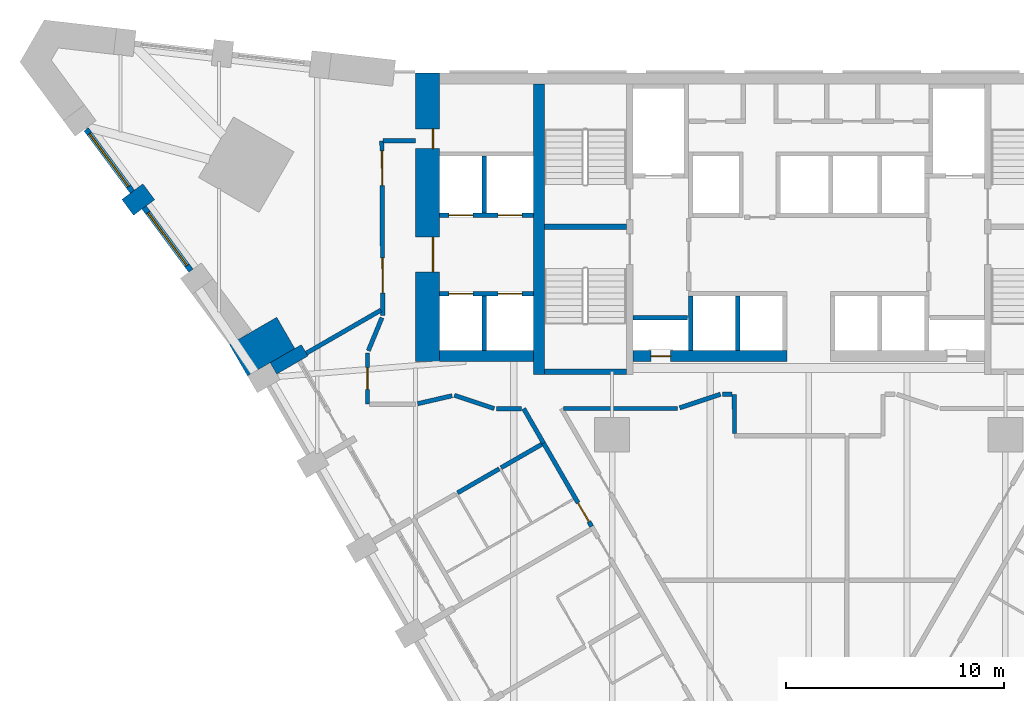
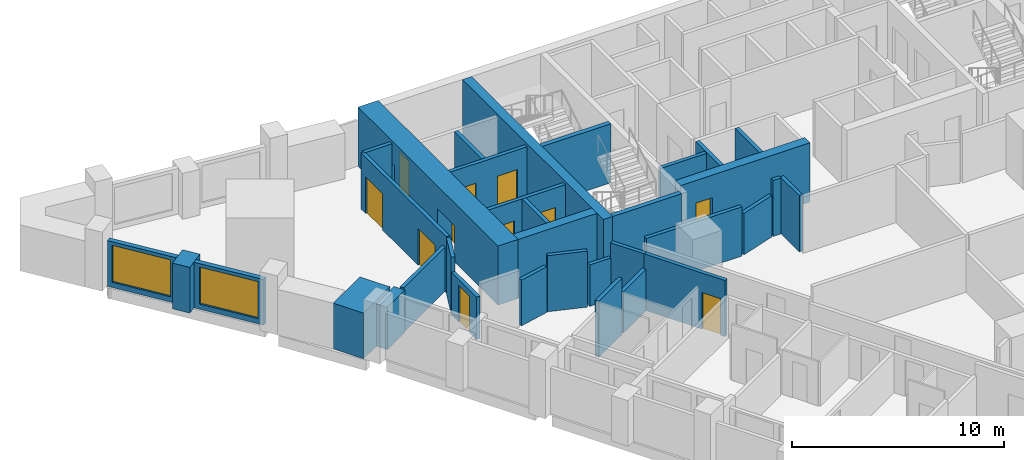
# One storey, part 6 of 11: 34 walls, 11 doors, 2 windows, 13 openings.
"""IFC4 building model written with IfcOpenShell, lengths in metres."""

from ifc_helpers import new_model, si_unit, direction, frame, frame_2d, origin, place, context, subcontext, project, spatial, polyline, rectangle, outline, extrude, material, layer, layer_set, type_object, element, fill, save


model = new_model("IFC4")

# Units and contexts
model_context = context("Model", 3, precision=1e-05, world=origin(), true_north=direction((0.0, 1.0)))
body_context = subcontext(model_context, "Body", "Model", "MODEL_VIEW")
ifc_project = project(units=[si_unit("LENGTHUNIT", "METRE"), si_unit("AREAUNIT", "SQUARE_METRE"), si_unit("VOLUMEUNIT", "CUBIC_METRE"), si_unit("PLANEANGLEUNIT", "RADIAN"), si_unit("MASSUNIT", "GRAM", prefix="KILO")], contexts=[model_context])

# Site, building, storey
site_placement = place(None, origin())
site = spatial("IfcSite", under=ifc_project, at=site_placement, CompositionType="ELEMENT")
building_placement = place(site_placement, origin())
building = spatial("IfcBuilding", under=site, at=building_placement, Name="Calabash Gate Tower", CompositionType="ELEMENT")
storey_placement = place(building_placement, frame((0.0, 0.0, 49.39990234375)))
storey = spatial("IfcBuildingStorey", under=building, at=storey_placement, Name="L07", CompositionType="ELEMENT", Elevation=49.39990234375)

# Walls
ifc_material_1 = material(Name="Terracotta brick masonry, exposed face", Category="masonry")
ifc_layer_1 = layer(ifc_material_1, 2.5)
ifc_layer_set_1 = layer_set([ifc_layer_1], Name="Brick corner mass wall 2500")
wall_type_1 = type_object("IfcWallType", Name="Brick corner mass wall 2500", PredefinedType="SOLIDWALL", material=ifc_layer_set_1)
wall_1_placement = place(storey_placement, origin())
element("IfcWall", 1, at=wall_1_placement, inside=storey, type_object=wall_type_1, Name="Brick corner pier S01 1", PredefinedType="SOLIDWALL", context=body_context, shape_type="SweptSolid", body=[
    extrude(outline(polyline([(-25.694580078125, 5.19970703125), (-24.6552734375, 5.7998046875), (-24.6552734375, 5.79931640625), (-23.529541015625, 6.44921875), (-24.3544921875, 7.878173828125), (-26.51953125, 6.628173828125), (-25.694580078125, 5.19921875), (-25.6943359375, 5.199462890625), (-25.694580078125, 5.19970703125)])), origin(), (0.0, 0.0, 1.0), 2.630126953125),
])
ifc_material_2 = material(Name="Terracotta brick masonry, exposed face", Category="masonry")
ifc_layer_2 = layer(ifc_material_2, 1.199951171875)
ifc_layer_set_2 = layer_set([ifc_layer_2], Name="Brick end wall 1200")
wall_type_2 = type_object("IfcWallType", Name="Brick end wall 1200", PredefinedType="SOLIDWALL", material=ifc_layer_set_2)
wall_2_placement = place(storey_placement, frame((-31.178466796875, 12.91015625, 0.0), z_axis=(0.0, 0.0, 1.0), x_axis=(0.803549985832, 0.595237280644, 0.0)))
element("IfcWall", 2, at=wall_2_placement, inside=storey, type_object=wall_type_2, Name="Brick pier S01 wedge7.1", PredefinedType="SOLIDWALL", context=body_context, shape_type="SweptSolid", body=[
    extrude(rectangle(XDim=1.2001953125, YDim=0.89990234375, at=frame_2d((0.60009765625, 0.0))), origin(), (0.0, 0.0, 1.0), 2.630126953125),
])
ifc_material_3 = material(Name="Terracotta brick masonry, exposed face", Category="masonry")
ifc_layer_3 = layer(ifc_material_3, 0.300048828125)
ifc_layer_set_3 = layer_set([ifc_layer_3], Name="Brick loggia cheek wall 300")
wall_type_3 = type_object("IfcWallType", Name="Brick loggia cheek wall 300", PredefinedType="SOLIDWALL", material=ifc_layer_set_3)
wall_3_placement = place(storey_placement, frame((-24.505126953125, 5.53955078125, 0.0), z_axis=(0.0, 0.0, 1.0), x_axis=(0.866003217194, 0.500038426333, 0.0)))
element("IfcWall", 3, at=wall_3_placement, inside=storey, type_object=wall_type_3, Name="Loggia cheek S01 SW0.0", PredefinedType="SOLIDWALL", context=body_context, shape_type="SweptSolid", body=[
    extrude(rectangle(XDim=1.649658203125, YDim=0.60009765625, at=frame_2d((0.82470703125, 0.0))), origin(), (0.0, 0.0, 1.0), 2.4501953125),
])

# Wall, openings, doors
ifc_material_4 = material(Name="Concrete C80/95", Category="concrete")
ifc_layer_4 = layer(ifc_material_4, 1.10009765625)
ifc_layer_set_4 = layer_set([ifc_layer_4], Name="Core wall 1100 Concrete C80/95")
wall_type_4 = type_object("IfcWallType", Name="Core wall 1100 Concrete C80/95", PredefinedType="SHEAR", material=ifc_layer_set_4)
wall_4_placement = place(storey_placement, frame((-17.449951171875, 5.8525390625, 0.0), z_axis=(0.0, 0.0, 1.0), x_axis=(0.0, 1.0, 0.0)))
wall_4 = element("IfcWall", 4, at=wall_4_placement, inside=storey, type_object=wall_type_4, Name="Core wall Z1-ENDW L07", PredefinedType="SHEAR", context=body_context, shape_type="SweptSolid", body=[
    extrude(rectangle(XDim=13.199951171875, YDim=1.10009765625, at=frame_2d((6.60009765625, 0.0))), origin(), (0.0, 0.0, 1.0), 3.400146484375),
])
opening_1_placement = place(wall_4_placement, frame((4.10009765625, 0.0, 0.0)))
opening_1 = element("IfcOpeningElement", 5, at=opening_1_placement, cuts=wall_4, Name="Opening H1-003", PredefinedType="OPENING", context=body_context, shape_type="SweptSolid", body=[
    extrude(rectangle(XDim=1.60009765625, YDim=2.10009765625, at=frame_2d((0.800048828125, 1.050048828125))), frame((0.0, 0.56005859375, 0.0), z_axis=(0.0, -1.0, 0.0), x_axis=(1.0, 0.0, 0.0)), (0.0, 0.0, 1.0), 1.1201171875),
])
opening_2_placement = place(wall_4_placement, frame((9.75, 0.0, 0.0)))
opening_2 = element("IfcOpeningElement", 6, at=opening_2_placement, cuts=wall_4, Name="Opening H1-004", PredefinedType="OPENING", context=body_context, shape_type="SweptSolid", body=[
    extrude(rectangle(XDim=0.89990234375, YDim=2.10009765625, at=frame_2d((0.449951171875, 1.050048828125))), frame((0.0, 0.56005859375, 0.0), z_axis=(0.0, -1.0, 0.0), x_axis=(1.0, 0.0, 0.0)), (0.0, 0.0, 1.0), 1.1201171875),
])
ifc_material_5 = material(Name="Steel fire door set with fire-resisting glazing", Category="steel")
door_type_1 = type_object("IfcDoorType", Name="Double fire door D08 1600x2100 FD60", OperationType="DOUBLE_DOOR_SINGLE_SWING", PredefinedType="DOOR", material=ifc_material_5)
door_1_placement = place(opening_1_placement, origin())
door_1 = element("IfcDoor", 7, at=door_1_placement, inside=storey, type_object=door_type_1, Name="Low-rise Lift Lobby W door", OperationType="DOUBLE_DOOR_SINGLE_SWING", OverallHeight=2.10009765625, OverallWidth=1.60009765625, PredefinedType="DOOR", context=body_context, shape_type="SweptSolid", body=[
    extrude(rectangle(XDim=1.60009765625, YDim=2.10009765625, at=frame_2d((0.800048828125, 1.050048828125))), frame((0.0, -0.22509765625, 0.0), z_axis=(0.0, -1.0, 0.0), x_axis=(1.0, 0.0, 0.0)), (0.0, 0.0, 1.0), 0.050048828125),
])
fill(opening_1, door_1)
ifc_material_6 = material(Name="Steel fire door set with fire-resisting glazing", Category="steel")
door_type_2 = type_object("IfcDoorType", Name="Fire door D06 900x2100 FD60", OperationType="NOTDEFINED", PredefinedType="DOOR", material=ifc_material_6)
door_2_placement = place(opening_2_placement, origin())
door_2 = element("IfcDoor", 8, at=door_2_placement, inside=storey, type_object=door_type_2, Name="Cleaner's Store door", OperationType="SINGLE_SWING_RIGHT", OverallHeight=2.10009765625, OverallWidth=0.89990234375, PredefinedType="DOOR", context=body_context, shape_type="SweptSolid", body=[
    extrude(rectangle(XDim=0.89990234375, YDim=2.10009765625, at=frame_2d((0.449951171875, 1.050048828125))), frame((0.0, -0.22509765625, 0.0), z_axis=(0.0, -1.0, 0.0), x_axis=(1.0, 0.0, 0.0)), (0.0, 0.0, 1.0), 0.050048828125),
])
fill(opening_2, door_2)

# Walls
ifc_material_7 = material(Name="Concrete C80/95", Category="concrete")
ifc_layer_5 = layer(ifc_material_7, 0.25)
ifc_layer_set_5 = layer_set([ifc_layer_5], Name="Core wall 250 Concrete C80/95")
wall_type_5 = type_object("IfcWallType", Name="Core wall 250 Concrete C80/95", PredefinedType="SHEAR", material=ifc_layer_set_5)
for number, where, z_axis, x_axis, name in (
    (9, (-12.10009765625, 12.027587890625, 0.0), (0.0, 0.0, 1.0), (1.0, 0.0, 0.0), "Core wall Z1-MIDW L07"),
    (10, (-12.10009765625, 5.377685546875, 0.0), (0.0, 0.0, 1.0), (1.0, 0.0, 0.0), "Core wall Z1-SSW L07"),
):
    element("IfcWall", number, at=place(storey_placement, frame(where, z_axis=z_axis, x_axis=x_axis)), inside=storey, type_object=wall_type_5, Name=name, PredefinedType="SHEAR", context=body_context, shape_type="SweptSolid", body=[
        extrude(rectangle(XDim=3.75, YDim=0.25, at=frame_2d((1.875, 0.0))), origin(), (0.0, 0.0, 1.0), 3.400146484375),
    ])
ifc_material_8 = material(Name="Concrete C80/95", Category="concrete")
ifc_layer_6 = layer(ifc_material_8, 0.5)
ifc_layer_set_6 = layer_set([ifc_layer_6], Name="Core wall 500 Concrete C80/95")
wall_type_6 = type_object("IfcWallType", Name="Core wall 500 Concrete C80/95", PredefinedType="SHEAR", material=ifc_layer_set_6)
wall_5_placement = place(storey_placement, frame((-12.35009765625, 5.252685546875, 0.0), z_axis=(0.0, 0.0, 1.0), x_axis=(0.0, 1.0, 0.0)))
element("IfcWall", 11, at=wall_5_placement, inside=storey, type_object=wall_type_6, Name="Core wall Z1-COLW L07", PredefinedType="SHEAR", context=body_context, shape_type="SweptSolid", body=[
    extrude(rectangle(XDim=13.2998046875, YDim=0.5, at=frame_2d((6.64990234375, 0.0))), origin(), (0.0, 0.0, 1.0), 3.400146484375),
])

# Wall, opening, door
wall_6_placement = place(storey_placement, frame((-8.050048828125, 6.1025390625, 0.0), z_axis=(0.0, 0.0, 1.0), x_axis=(1.0, 0.0, 0.0)))
wall_6 = element("IfcWall", 12, at=wall_6_placement, inside=storey, type_object=wall_type_6, Name="Core wall Z1-SA L07", PredefinedType="SHEAR", context=body_context, shape_type="SweptSolid", body=[
    extrude(rectangle(XDim=7.050048828125, YDim=0.5, at=frame_2d((3.52490234375, 0.0))), origin(), (0.0, 0.0, 1.0), 3.400146484375),
])
opening_3_placement = place(wall_6_placement, frame((0.824951171875, 0.0, 0.0)))
opening_3 = element("IfcOpeningElement", 13, at=opening_3_placement, cuts=wall_6, Name="Opening H1-013", PredefinedType="OPENING", context=body_context, shape_type="SweptSolid", body=[
    extrude(rectangle(XDim=0.89990234375, YDim=2.10009765625, at=frame_2d((0.449951171875, 1.050048828125))), frame((0.0, 0.260009765625, 0.0), z_axis=(0.0, -1.0, 0.0), x_axis=(1.0, 0.0, 0.0)), (0.0, 0.0, 1.0), 0.52001953125),
])
ifc_material_9 = material(Name="Steel fire door set with fire-resisting glazing", Category="steel")
door_type_3 = type_object("IfcDoorType", Name="Fire door D07 900x2100 FD90", OperationType="NOTDEFINED", PredefinedType="DOOR", material=ifc_material_9)
door_3_placement = place(opening_3_placement, origin())
door_3 = element("IfcDoor", 14, at=door_3_placement, inside=storey, type_object=door_type_3, Name="Electrical Riser W door", OperationType="SINGLE_SWING_LEFT", OverallHeight=2.10009765625, OverallWidth=0.89990234375, PredefinedType="DOOR", context=body_context, shape_type="SweptSolid", body=[
    extrude(rectangle(XDim=0.89990234375, YDim=2.10009765625, at=frame_2d((0.449951171875, 1.050048828125))), frame((0.0, 0.02490234375, 0.0), z_axis=(0.0, -1.0, 0.0), x_axis=(1.0, 0.0, 0.0)), (0.0, 0.0, 1.0), 0.050048828125),
])
fill(opening_3, door_3)

# Wall
wall_7_placement = place(storey_placement, frame((-12.60009765625, 6.1025390625, 0.0), z_axis=(0.0, 0.0, 1.0), x_axis=(-1.0, 0.0, 0.0)))
element("IfcWall", 15, at=wall_7_placement, inside=storey, type_object=wall_type_6, Name="Core wall Z1-SW L07", PredefinedType="SHEAR", context=body_context, shape_type="SweptSolid", body=[
    extrude(rectangle(XDim=4.2998046875, YDim=0.5, at=frame_2d((2.14990234375, 0.0))), origin(), (0.0, 0.0, 1.0), 3.400146484375),
])

# Wall, opening, door
ifc_material_10 = material(Name="Gypsum board on steel studs, mineral wool", Category="steel")
ifc_layer_7 = layer(ifc_material_10, 0.199951171875)
ifc_layer_set_7 = layer_set([ifc_layer_7], Name="Partition 200 gypsum board EI 60")
wall_type_7 = type_object("IfcWallType", Name="Partition 200 gypsum board EI 60", PredefinedType="PARTITIONING", material=ifc_layer_set_7)
wall_8_placement = place(storey_placement, frame((-12.13720703125, 2.113037109375, 0.0), z_axis=(0.0, 0.0, 1.0), x_axis=(0.500025132165, -0.866010893236, 0.0)))
wall_8 = element("IfcWall", 16, at=wall_8_placement, inside=storey, type_object=wall_type_7, Name="Partition", PredefinedType="PARTITIONING", context=body_context, shape_type="SweptSolid", body=[
    extrude(rectangle(XDim=4.398681640625, YDim=0.199951171875, at=frame_2d((2.19921875, 0.0))), origin(), (0.0, 0.0, 1.0), 3.22998046875),
])
opening_4_placement = place(wall_8_placement, frame((3.150390625, 0.0, 0.0)))
opening_4 = element("IfcOpeningElement", 17, at=opening_4_placement, cuts=wall_8, Name="Opening 06-08-020", PredefinedType="OPENING", context=body_context, shape_type="SweptSolid", body=[
    extrude(rectangle(XDim=1.0, YDim=2.10009765625, at=frame_2d((0.5, 1.050048828125))), frame((0.0, 0.10986328125, 0.0), z_axis=(0.0, -1.0, 0.0), x_axis=(1.0, 0.0, 0.0)), (0.0, 0.0, 1.0), 0.219970703125),
])
ifc_material_11 = material(Name="Steel fire door set with fire-resisting glazing", Category="steel")
door_type_4 = type_object("IfcDoorType", Name="WD3 WC lobby door 1000x2100", OperationType="NOTDEFINED", PredefinedType="DOOR", material=ifc_material_11)
door_4_placement = place(opening_4_placement, origin())
door_4 = element("IfcDoor", 18, at=door_4_placement, inside=storey, type_object=door_type_4, Name="WC lobby door", OperationType="SINGLE_SWING_LEFT", OverallHeight=2.10009765625, OverallWidth=1.0, PredefinedType="DOOR", context=body_context, shape_type="SweptSolid", body=[
    extrude(rectangle(XDim=1.0, YDim=2.10009765625, at=frame_2d((0.5, 1.050048828125))), frame((0.0, 0.02490234375, 0.0), z_axis=(0.0, -1.0, 0.0), x_axis=(1.0, 0.0, 0.0)), (0.0, 0.0, 1.0), 0.050048828125),
])
fill(opening_4, door_4)

# Walls
wall_9_placement = place(storey_placement, frame((-16.07666015625, -0.159423828125, 0.0), z_axis=(0.0, 0.0, 1.0), x_axis=(0.866399851823, 0.499350875398, 0.0)))
element("IfcWall", 19, at=wall_9_placement, inside=storey, type_object=wall_type_7, Name="Partition", PredefinedType="PARTITIONING", context=body_context, shape_type="SweptSolid", body=[
    extrude(rectangle(XDim=2.19970703125, YDim=0.199951171875, at=frame_2d((1.099853515625, 0.0))), origin(), (0.0, 0.0, 1.0), 3.22998046875),
])
wall_10_placement = place(storey_placement, frame((-14.084716796875, 0.990478515625, 0.0), z_axis=(0.0, 0.0, 1.0), x_axis=(0.866397457795, 0.499355029139, 0.0)))
element("IfcWall", 20, at=wall_10_placement, inside=storey, type_object=wall_type_7, Name="Partition", PredefinedType="PARTITIONING", context=body_context, shape_type="SweptSolid", body=[
    extrude(rectangle(XDim=2.147705078125, YDim=0.199951171875, at=frame_2d((1.07373046875, 0.0))), origin(), (0.0, 0.0, 1.0), 2.38427734375),
])
wall_11_placement = place(storey_placement, frame((-3.402099609375, 4.3505859375, 0.0), z_axis=(0.0, 0.0, 1.0), x_axis=(0.001086217961, -0.999999410065, 0.0)))
element("IfcWall", 21, at=wall_11_placement, inside=storey, type_object=wall_type_7, Name="Partition", PredefinedType="PARTITIONING", context=body_context, shape_type="SweptSolid", body=[
    extrude(rectangle(XDim=1.798095703125, YDim=0.199951171875, at=frame_2d((0.89892578125, 0.0))), origin(), (0.0, 0.0, 1.0), 3.22998046875),
])
wall_12_placement = place(storey_placement, frame((-14.300048828125, 3.699462890625, 0.0), z_axis=(0.0, 0.0, 1.0), x_axis=(1.0, 0.0, 0.0)))
element("IfcWall", 22, at=wall_12_placement, inside=storey, type_object=wall_type_7, Name="Partition", PredefinedType="PARTITIONING", context=body_context, shape_type="SweptSolid", body=[
    extrude(rectangle(XDim=1.148681640625, YDim=0.199951171875, at=frame_2d((0.57421875, 0.0))), origin(), (0.0, 0.0, 1.0), 2.38427734375),
])
wall_13_placement = place(storey_placement, frame((-13.051513671875, 3.699462890625, 0.0), z_axis=(0.0, 0.0, 1.0), x_axis=(0.499341081767, -0.866405496324, 0.0)))
element("IfcWall", 23, at=wall_13_placement, inside=storey, type_object=wall_type_7, Name="Partition", PredefinedType="PARTITIONING", context=body_context, shape_type="SweptSolid", body=[
    extrude(rectangle(XDim=1.8291015625, YDim=0.199951171875, at=frame_2d((0.91455078125, 0.0))), origin(), (0.0, 0.0, 1.0), 3.22998046875),
])
wall_14_placement = place(storey_placement, frame((-11.21875, 3.69970703125, 0.0), z_axis=(0.0, 0.0, 1.0), x_axis=(1.0, 0.0, 0.0)))
element("IfcWall", 24, at=wall_14_placement, inside=storey, type_object=wall_type_7, Name="Partition", PredefinedType="PARTITIONING", context=body_context, shape_type="SweptSolid", body=[
    extrude(rectangle(XDim=5.21875, YDim=0.199951171875, at=frame_2d((2.609375, 0.0))), origin(), (0.0, 0.0, 1.0), 2.831787109375),
])
wall_15_placement = place(storey_placement, frame((-17.902587890625, 3.922119140625, 0.0), z_axis=(0.0, 0.0, 1.0), x_axis=(0.974302124523, 0.225245133464, 0.0)))
element("IfcWall", 25, at=wall_15_placement, inside=storey, type_object=wall_type_7, Name="Partition", PredefinedType="PARTITIONING", context=body_context, shape_type="SweptSolid", body=[
    extrude(rectangle(XDim=1.6181640625, YDim=0.199951171875, at=frame_2d((0.80908203125, 0.0))), origin(), (0.0, 0.0, 1.0), 2.628173828125),
])
wall_16_placement = place(storey_placement, frame((-16.228515625, 4.30908203125, 0.0), z_axis=(0.0, 0.0, 1.0), x_axis=(0.948657960303, -0.316303769112, 0.0)))
element("IfcWall", 26, at=wall_16_placement, inside=storey, type_object=wall_type_7, Name="Partition", PredefinedType="PARTITIONING", context=body_context, shape_type="SweptSolid", body=[
    extrude(rectangle(XDim=1.92724609375, YDim=0.199951171875, at=frame_2d((0.963623046875, 0.0))), origin(), (0.0, 0.0, 1.0), 3.22998046875),
])
wall_17_placement = place(storey_placement, frame((-5.905029296875, 3.7314453125, 0.0), z_axis=(0.0, 0.0, 1.0), x_axis=(0.948695731075, 0.316190464499, 0.0)))
element("IfcWall", 27, at=wall_17_placement, inside=storey, type_object=wall_type_7, Name="Partition", PredefinedType="PARTITIONING", context=body_context, shape_type="SweptSolid", body=[
    extrude(rectangle(XDim=1.963623046875, YDim=0.199951171875, at=frame_2d((0.98193359375, 0.0))), origin(), (0.0, 0.0, 1.0), 2.38427734375),
])
wall_18_placement = place(storey_placement, frame((-3.9423828125, 4.35205078125, 0.0), z_axis=(0.0, 0.0, 1.0), x_axis=(0.999996159087, -0.00277160798, 0.0)))
element("IfcWall", 28, at=wall_18_placement, inside=storey, type_object=wall_type_7, Name="Partition", PredefinedType="PARTITIONING", context=body_context, shape_type="SweptSolid", body=[
    extrude(rectangle(XDim=0.4404296875, YDim=0.199951171875, at=frame_2d((0.22021484375, 0.0))), origin(), (0.0, 0.0, 1.0), 3.22998046875),
])
wall_19_placement = place(storey_placement, frame((-23.001220703125, 6.234375, 0.0), z_axis=(0.0, 0.0, 1.0), x_axis=(0.866230957978, 0.499643800562, 0.0)))
element("IfcWall", 29, at=wall_19_placement, inside=storey, type_object=wall_type_7, Name="Partition", PredefinedType="PARTITIONING", context=body_context, shape_type="SweptSolid", body=[
    extrude(rectangle(XDim=3.94140625, YDim=0.199951171875, at=frame_2d((1.970703125, 0.0))), origin(), (0.0, 0.0, 1.0), 2.552001953125),
])

# Wall, opening, door
wall_20_placement = place(storey_placement, frame((-20.200439453125, 6.252685546875, 0.0), z_axis=(0.0, 0.0, 1.0), x_axis=(0.000103755965, -0.999999994617, 0.0)))
wall_20 = element("IfcWall", 30, at=wall_20_placement, inside=storey, type_object=wall_type_7, Name="Partition", PredefinedType="PARTITIONING", context=body_context, shape_type="SweptSolid", body=[
    extrude(rectangle(XDim=2.35302734375, YDim=0.199951171875, at=frame_2d((1.176513671875, 0.0))), origin(), (0.0, 0.0, 1.0), 2.4501953125),
])
opening_5_placement = place(wall_20_placement, frame((0.67626953125, 0.0, 0.0)))
opening_5 = element("IfcOpeningElement", 31, at=opening_5_placement, cuts=wall_20, Name="Opening 06-08-026", PredefinedType="OPENING", context=body_context, shape_type="SweptSolid", body=[
    extrude(rectangle(XDim=1.0, YDim=2.10009765625, at=frame_2d((0.5, 1.050048828125))), frame((0.0, 0.10986328125, 0.0), z_axis=(0.0, -1.0, 0.0), x_axis=(1.0, 0.0, 0.0)), (0.0, 0.0, 1.0), 0.219970703125),
])
ifc_material_12 = material(Name="Steel fire door set with fire-resisting glazing", Category="steel")
door_type_5 = type_object("IfcDoorType", Name="LD2 Meeting room door 1000x2100", OperationType="NOTDEFINED", PredefinedType="DOOR", material=ifc_material_12)
door_5_placement = place(opening_5_placement, origin())
door_5 = element("IfcDoor", 32, at=door_5_placement, inside=storey, type_object=door_type_5, Name="Meeting room door", OperationType="SINGLE_SWING_LEFT", OverallHeight=2.10009765625, OverallWidth=1.0, PredefinedType="DOOR", context=body_context, shape_type="SweptSolid", body=[
    extrude(rectangle(XDim=1.0, YDim=2.10009765625, at=frame_2d((0.5, 1.050048828125))), frame((0.0, 0.02490234375, 0.0), z_axis=(0.0, -1.0, 0.0), x_axis=(1.0, 0.0, 0.0)), (0.0, 0.0, 1.0), 0.050048828125),
])
fill(opening_5, door_5)

# Wall
wall_21_placement = place(storey_placement, frame((-20.162353515625, 6.34521484375, 0.0), z_axis=(0.0, 0.0, 1.0), x_axis=(0.380749805254, 0.924678098475, 0.0)))
element("IfcWall", 33, at=wall_21_placement, inside=storey, type_object=wall_type_7, Name="Partition", PredefinedType="PARTITIONING", context=body_context, shape_type="SweptSolid", body=[
    extrude(rectangle(XDim=1.63818359375, YDim=0.199951171875, at=frame_2d((0.819091796875, 0.0))), origin(), (0.0, 0.0, 1.0), 3.22998046875),
])

# Wall, openings, doors
wall_22_placement = place(storey_placement, frame((-19.540283203125, 15.952392578125, 0.0), z_axis=(0.0, 0.0, 1.0), x_axis=(0.004974455496, -0.99998762732, 0.0)))
wall_22 = element("IfcWall", 34, at=wall_22_placement, inside=storey, type_object=wall_type_7, Name="Partition", PredefinedType="PARTITIONING", context=body_context, shape_type="SweptSolid", body=[
    extrude(rectangle(XDim=7.999755859375, YDim=0.199951171875, at=frame_2d((4.0, 0.0))), origin(), (0.0, 0.0, 1.0), 3.22998046875),
])
opening_6_placement = place(wall_22_placement, frame((5.359130859375, 0.0, 0.0)))
opening_6 = element("IfcOpeningElement", 35, at=opening_6_placement, cuts=wall_22, Name="Opening 06-08-024", PredefinedType="OPENING", context=body_context, shape_type="SweptSolid", body=[
    extrude(rectangle(XDim=1.60009765625, YDim=2.10009765625, at=frame_2d((0.800048828125, 1.050048828125))), frame((0.0, 0.10986328125, 0.0), z_axis=(0.0, -1.0, 0.0), x_axis=(1.0, 0.0, 0.0)), (0.0, 0.0, 1.0), 0.219970703125),
])
opening_7_placement = place(wall_22_placement, frame((0.4501953125, 0.0, 0.0)))
opening_7 = element("IfcOpeningElement", 36, at=opening_7_placement, cuts=wall_22, Name="Opening 06-08-025", PredefinedType="OPENING", context=body_context, shape_type="SweptSolid", body=[
    extrude(rectangle(XDim=1.60009765625, YDim=2.10009765625, at=frame_2d((0.800048828125, 1.050048828125))), frame((0.0, 0.10986328125, 0.0), z_axis=(0.0, -1.0, 0.0), x_axis=(1.0, 0.0, 0.0)), (0.0, 0.0, 1.0), 0.219970703125),
])
ifc_material_13 = material(Name="Steel fire door set with fire-resisting glazing", Category="steel")
door_type_6 = type_object("IfcDoorType", Name="LD1 Lounge double door 1600x2100", OperationType="NOTDEFINED", PredefinedType="DOOR", material=ifc_material_13)
door_6_placement = place(opening_6_placement, origin())
door_6 = element("IfcDoor", 37, at=door_6_placement, inside=storey, type_object=door_type_6, Name="Lounge double door", OperationType="DOUBLE_DOOR_SINGLE_SWING", OverallHeight=2.10009765625, OverallWidth=1.60009765625, PredefinedType="DOOR", context=body_context, shape_type="SweptSolid", body=[
    extrude(rectangle(XDim=1.60009765625, YDim=2.10009765625, at=frame_2d((0.800048828125, 1.050048828125))), frame((0.0, 0.02490234375, 0.0), z_axis=(0.0, -1.0, 0.0), x_axis=(1.0, 0.0, 0.0)), (0.0, 0.0, 1.0), 0.050048828125),
])
fill(opening_6, door_6)
door_7_placement = place(opening_7_placement, origin())
door_7 = element("IfcDoor", 38, at=door_7_placement, inside=storey, type_object=door_type_6, Name="Lounge double door", OperationType="DOUBLE_DOOR_SINGLE_SWING", OverallHeight=2.10009765625, OverallWidth=1.60009765625, PredefinedType="DOOR", context=body_context, shape_type="SweptSolid", body=[
    extrude(rectangle(XDim=1.60009765625, YDim=2.10009765625, at=frame_2d((0.800048828125, 1.050048828125))), frame((0.0, 0.02490234375, 0.0), z_axis=(0.0, -1.0, 0.0), x_axis=(1.0, 0.0, 0.0)), (0.0, 0.0, 1.0), 0.050048828125),
])
fill(opening_7, door_7)

# Wall
wall_23_placement = place(storey_placement, frame((-19.50048828125, 15.95263671875, 0.0), z_axis=(0.0, 0.0, 1.0), x_axis=(0.999999152842, 0.001301658513, 0.0)))
element("IfcWall", 39, at=wall_23_placement, inside=storey, type_object=wall_type_7, Name="Partition", PredefinedType="PARTITIONING", context=body_context, shape_type="SweptSolid", body=[
    extrude(rectangle(XDim=1.50048828125, YDim=0.199951171875, at=frame_2d((0.750244140625, 0.0))), origin(), (0.0, 0.0, 1.0), 3.22998046875),
])

# Wall, opening, window
ifc_material_14 = material(Name="Aluminium framed window wall with insulated spandrel", Category="aluminium")
ifc_layer_8 = layer(ifc_material_14, 0.25)
ifc_layer_set_8 = layer_set([ifc_layer_8], Name="Prow window wall 250")
wall_type_8 = type_object("IfcWallType", Name="Prow window wall 250", PredefinedType="ELEMENTEDWALL", material=ifc_layer_set_8)
wall_24_placement = place(storey_placement, frame((-33.077392578125, 16.481201171875, 0.0), z_axis=(0.0, 0.0, 1.0), x_axis=(0.595304805086, -0.803499962067, 0.0)))
wall_24 = element("IfcWall", 40, at=wall_24_placement, inside=storey, type_object=wall_type_8, Name="Prow window wall S01 wedge7.1", PredefinedType="ELEMENTEDWALL", context=body_context, shape_type="SweptSolid", body=[
    extrude(rectangle(XDim=3.552001953125, YDim=0.25, at=frame_2d((1.77587890625, 0.0))), origin(), (0.0, 0.0, 1.0), 2.630126953125),
])
opening_8_placement = place(wall_24_placement, frame((0.25, 0.0, 0.300048828125)))
opening_8 = element("IfcOpeningElement", 41, at=opening_8_placement, cuts=wall_24, Name="Opening WP1L-2130", PredefinedType="OPENING", context=body_context, shape_type="SweptSolid", body=[
    extrude(rectangle(XDim=3.0, YDim=2.1298828125, at=frame_2d((1.5, 1.06494140625))), frame((0.0, 0.135009765625, 0.0), z_axis=(0.0, -1.0, 0.0), x_axis=(1.0, 0.0, 0.0)), (0.0, 0.0, 1.0), 0.27001953125),
])
ifc_material_15 = material(Name="Anodised aluminium frame, bronze finish, impact-rated laminated clear glazing", Category="aluminium")
window_type = type_object("IfcWindowType", Name="Window WP1L 3000x2130", PartitioningType="DOUBLE_PANEL_VERTICAL", PredefinedType="WINDOW", material=ifc_material_15)
window_1_placement = place(opening_8_placement, origin())
window_1 = element("IfcWindow", 42, at=window_1_placement, inside=storey, type_object=window_type, Name="Prow window WP1L S01 wedge7.1", OverallHeight=2.1298828125, OverallWidth=3.0, PartitioningType="SINGLE_PANEL", PredefinedType="WINDOW", context=body_context, shape_type="SweptSolid", body=[
    extrude(rectangle(XDim=3.0, YDim=2.1298828125, at=frame_2d((1.5, 1.06494140625))), frame((0.0, 0.030029296875, 0.0), z_axis=(0.0, -1.0, 0.0), x_axis=(1.0, 0.0, 0.0)), (0.0, 0.0, 1.0), 0.06005859375),
])
fill(opening_8, window_1)

wall_25_placement = place(storey_placement, frame((-30.428466796875, 12.905517578125, 0.0), z_axis=(0.0, 0.0, 1.0), x_axis=(0.595302153335, -0.803501926715, 0.0)))
wall_25 = element("IfcWall", 43, at=wall_25_placement, inside=storey, type_object=wall_type_8, Name="Prow window wall S01 wedge7.2", PredefinedType="ELEMENTEDWALL", context=body_context, shape_type="SweptSolid", body=[
    extrude(rectangle(XDim=3.599853515625, YDim=0.25, at=frame_2d((1.7998046875, 0.0))), origin(), (0.0, 0.0, 1.0), 2.630126953125),
])
opening_9_placement = place(wall_25_placement, frame((0.300048828125, 0.0, 0.300048828125)))
opening_9 = element("IfcOpeningElement", 44, at=opening_9_placement, cuts=wall_25, Name="Opening WP1L-2130", PredefinedType="OPENING", context=body_context, shape_type="SweptSolid", body=[
    extrude(rectangle(XDim=3.0, YDim=2.1298828125, at=frame_2d((1.5, 1.06494140625))), frame((0.0, 0.135009765625, 0.0), z_axis=(0.0, -1.0, 0.0), x_axis=(1.0, 0.0, 0.0)), (0.0, 0.0, 1.0), 0.27001953125),
])
window_2_placement = place(opening_9_placement, origin())
window_2 = element("IfcWindow", 45, at=window_2_placement, inside=storey, type_object=window_type, Name="Prow window WP1L S01 wedge7.2", OverallHeight=2.1298828125, OverallWidth=3.0, PartitioningType="SINGLE_PANEL", PredefinedType="WINDOW", context=body_context, shape_type="SweptSolid", body=[
    extrude(rectangle(XDim=3.0, YDim=2.1298828125, at=frame_2d((1.5, 1.06494140625))), frame((0.0, 0.030029296875, 0.0), z_axis=(0.0, -1.0, 0.0), x_axis=(1.0, 0.0, 0.0)), (0.0, 0.0, 1.0), 0.06005859375),
])
fill(opening_9, window_2)

# Walls
ifc_material_16 = material(Name="Concrete C40/50", Category="concrete")
ifc_layer_9 = layer(ifc_material_16, 0.199951171875)
ifc_layer_set_9 = layer_set([ifc_layer_9], Name="Shaft wall 200 Concrete C40/50")
wall_type_9 = type_object("IfcWallType", Name="Shaft wall 200 Concrete C40/50", PredefinedType="SOLIDWALL", material=ifc_layer_set_9)
for number, where, z_axis, x_axis, name in (
    (46, (-14.85009765625, 6.3525390625, 0.0), (0.0, 0.0, 1.0), (0.0, 1.0, 0.0), "Shaft wall"),
    (47, (-5.39990234375, 6.3525390625, 0.0), (0.0, 0.0, 1.0), (0.0, 1.0, 0.0), "Shaft wall"),
    (48, (-3.25, 6.3525390625, 0.0), (0.0, 0.0, 1.0), (0.0, 1.0, 0.0), "Shaft wall"),
    (49, (-8.050048828125, 7.8525390625, 0.0), (0.0, 0.0, 1.0), (1.0, 0.0, 0.0), "Shaft wall"),
):
    element("IfcWall", number, at=place(storey_placement, frame(where, z_axis=z_axis, x_axis=x_axis)), inside=storey, type_object=wall_type_9, Name=name, PredefinedType="SOLIDWALL", context=body_context, shape_type="SweptSolid", body=[
        extrude(rectangle(XDim=2.5, YDim=0.199951171875, at=frame_2d((1.25, 0.0))), origin(), (0.0, 0.0, 1.0), 3.22998046875),
    ])

# Wall, openings, doors
wall_26_placement = place(storey_placement, frame((-16.89990234375, 8.95263671875, 0.0), z_axis=(0.0, 0.0, 1.0), x_axis=(1.0, 0.0, 0.0)))
wall_26 = element("IfcWall", 50, at=wall_26_placement, inside=storey, type_object=wall_type_9, Name="Shaft wall", PredefinedType="SOLIDWALL", context=body_context, shape_type="SweptSolid", body=[
    extrude(rectangle(XDim=4.2998046875, YDim=0.199951171875, at=frame_2d((2.14990234375, 0.0))), origin(), (0.0, 0.0, 1.0), 3.22998046875),
])
opening_10_placement = place(wall_26_placement, frame((2.675048828125, 0.0, 0.0)))
opening_10 = element("IfcOpeningElement", 51, at=opening_10_placement, cuts=wall_26, Name="Opening LD-LR1", PredefinedType="OPENING", context=body_context, shape_type="SweptSolid", body=[
    extrude(rectangle(XDim=1.10009765625, YDim=2.10009765625, at=frame_2d((0.550048828125, 1.050048828125))), frame((0.0, 0.10986328125, 0.0), z_axis=(0.0, -1.0, 0.0), x_axis=(1.0, 0.0, 0.0)), (0.0, 0.0, 1.0), 0.219970703125),
])
opening_11_placement = place(wall_26_placement, frame((0.425048828125, 0.0, 0.0)))
opening_11 = element("IfcOpeningElement", 52, at=opening_11_placement, cuts=wall_26, Name="Opening LD-LR2", PredefinedType="OPENING", context=body_context, shape_type="SweptSolid", body=[
    extrude(rectangle(XDim=1.10009765625, YDim=2.10009765625, at=frame_2d((0.550048828125, 1.050048828125))), frame((0.0, 0.10986328125, 0.0), z_axis=(0.0, -1.0, 0.0), x_axis=(1.0, 0.0, 0.0)), (0.0, 0.0, 1.0), 0.219970703125),
])
ifc_material_17 = material(Name="Stainless steel sliding door leaves", Category="steel")
door_type_7 = type_object("IfcDoorType", Name="Lift landing door LS1 1100x2100 FD90", OperationType="DOUBLE_DOOR_SLIDING", PredefinedType="DOOR", material=ifc_material_17)
door_8_placement = place(opening_10_placement, origin())
door_8 = element("IfcDoor", 53, at=door_8_placement, inside=storey, type_object=door_type_7, Name="Lift landing door LR1", OperationType="DOUBLE_DOOR_SLIDING", OverallHeight=2.10009765625, OverallWidth=1.10009765625, PredefinedType="DOOR", context=body_context, shape_type="SweptSolid", body=[
    extrude(rectangle(XDim=1.10009765625, YDim=2.10009765625, at=frame_2d((0.550048828125, 1.050048828125))), frame((0.0, 0.02490234375, 0.0), z_axis=(0.0, -1.0, 0.0), x_axis=(1.0, 0.0, 0.0)), (0.0, 0.0, 1.0), 0.050048828125),
])
fill(opening_10, door_8)
door_9_placement = place(opening_11_placement, origin())
door_9 = element("IfcDoor", 54, at=door_9_placement, inside=storey, type_object=door_type_7, Name="Lift landing door LR2", OperationType="DOUBLE_DOOR_SLIDING", OverallHeight=2.10009765625, OverallWidth=1.10009765625, PredefinedType="DOOR", context=body_context, shape_type="SweptSolid", body=[
    extrude(rectangle(XDim=1.10009765625, YDim=2.10009765625, at=frame_2d((0.550048828125, 1.050048828125))), frame((0.0, 0.02490234375, 0.0), z_axis=(0.0, -1.0, 0.0), x_axis=(1.0, 0.0, 0.0)), (0.0, 0.0, 1.0), 0.050048828125),
])
fill(opening_11, door_9)

wall_27_placement = place(storey_placement, frame((-16.89990234375, 12.552490234375, 0.0), z_axis=(0.0, 0.0, 1.0), x_axis=(1.0, 0.0, 0.0)))
wall_27 = element("IfcWall", 55, at=wall_27_placement, inside=storey, type_object=wall_type_9, Name="Shaft wall", PredefinedType="SOLIDWALL", context=body_context, shape_type="SweptSolid", body=[
    extrude(rectangle(XDim=4.2998046875, YDim=0.199951171875, at=frame_2d((2.14990234375, 0.0))), origin(), (0.0, 0.0, 1.0), 3.22998046875),
])
opening_12_placement = place(wall_27_placement, frame((2.675048828125, 0.0, 0.0)))
opening_12 = element("IfcOpeningElement", 56, at=opening_12_placement, cuts=wall_27, Name="Opening LD-LR3", PredefinedType="OPENING", context=body_context, shape_type="SweptSolid", body=[
    extrude(rectangle(XDim=1.10009765625, YDim=2.10009765625, at=frame_2d((0.550048828125, 1.050048828125))), frame((0.0, 0.10986328125, 0.0), z_axis=(0.0, -1.0, 0.0), x_axis=(1.0, 0.0, 0.0)), (0.0, 0.0, 1.0), 0.219970703125),
])
opening_13_placement = place(wall_27_placement, frame((0.425048828125, 0.0, 0.0)))
opening_13 = element("IfcOpeningElement", 57, at=opening_13_placement, cuts=wall_27, Name="Opening LD-LR4", PredefinedType="OPENING", context=body_context, shape_type="SweptSolid", body=[
    extrude(rectangle(XDim=1.10009765625, YDim=2.10009765625, at=frame_2d((0.550048828125, 1.050048828125))), frame((0.0, 0.10986328125, 0.0), z_axis=(0.0, -1.0, 0.0), x_axis=(1.0, 0.0, 0.0)), (0.0, 0.0, 1.0), 0.219970703125),
])
door_10_placement = place(opening_12_placement, origin())
door_10 = element("IfcDoor", 58, at=door_10_placement, inside=storey, type_object=door_type_7, Name="Lift landing door LR3", OperationType="DOUBLE_DOOR_SLIDING", OverallHeight=2.10009765625, OverallWidth=1.10009765625, PredefinedType="DOOR", context=body_context, shape_type="SweptSolid", body=[
    extrude(rectangle(XDim=1.10009765625, YDim=2.10009765625, at=frame_2d((0.550048828125, 1.050048828125))), frame((0.0, 0.02490234375, 0.0), z_axis=(0.0, -1.0, 0.0), x_axis=(1.0, 0.0, 0.0)), (0.0, 0.0, 1.0), 0.050048828125),
])
fill(opening_12, door_10)
door_11_placement = place(opening_13_placement, origin())
door_11 = element("IfcDoor", 59, at=door_11_placement, inside=storey, type_object=door_type_7, Name="Lift landing door LR4", OperationType="DOUBLE_DOOR_SLIDING", OverallHeight=2.10009765625, OverallWidth=1.10009765625, PredefinedType="DOOR", context=body_context, shape_type="SweptSolid", body=[
    extrude(rectangle(XDim=1.10009765625, YDim=2.10009765625, at=frame_2d((0.550048828125, 1.050048828125))), frame((0.0, 0.02490234375, 0.0), z_axis=(0.0, -1.0, 0.0), x_axis=(1.0, 0.0, 0.0)), (0.0, 0.0, 1.0), 0.050048828125),
])
fill(opening_13, door_11)

# Wall
wall_28_placement = place(storey_placement, frame((-14.85009765625, 12.652587890625, 0.0), z_axis=(0.0, 0.0, 1.0), x_axis=(0.0, 1.0, 0.0)))
element("IfcWall", 60, at=wall_28_placement, inside=storey, type_object=wall_type_9, Name="Shaft wall", PredefinedType="SOLIDWALL", context=body_context, shape_type="SweptSolid", body=[
    extrude(rectangle(XDim=2.60009765625, YDim=0.199951171875, at=frame_2d((1.300048828125, 0.0))), origin(), (0.0, 0.0, 1.0), 3.22998046875),
])

save(model, "model.ifc")
